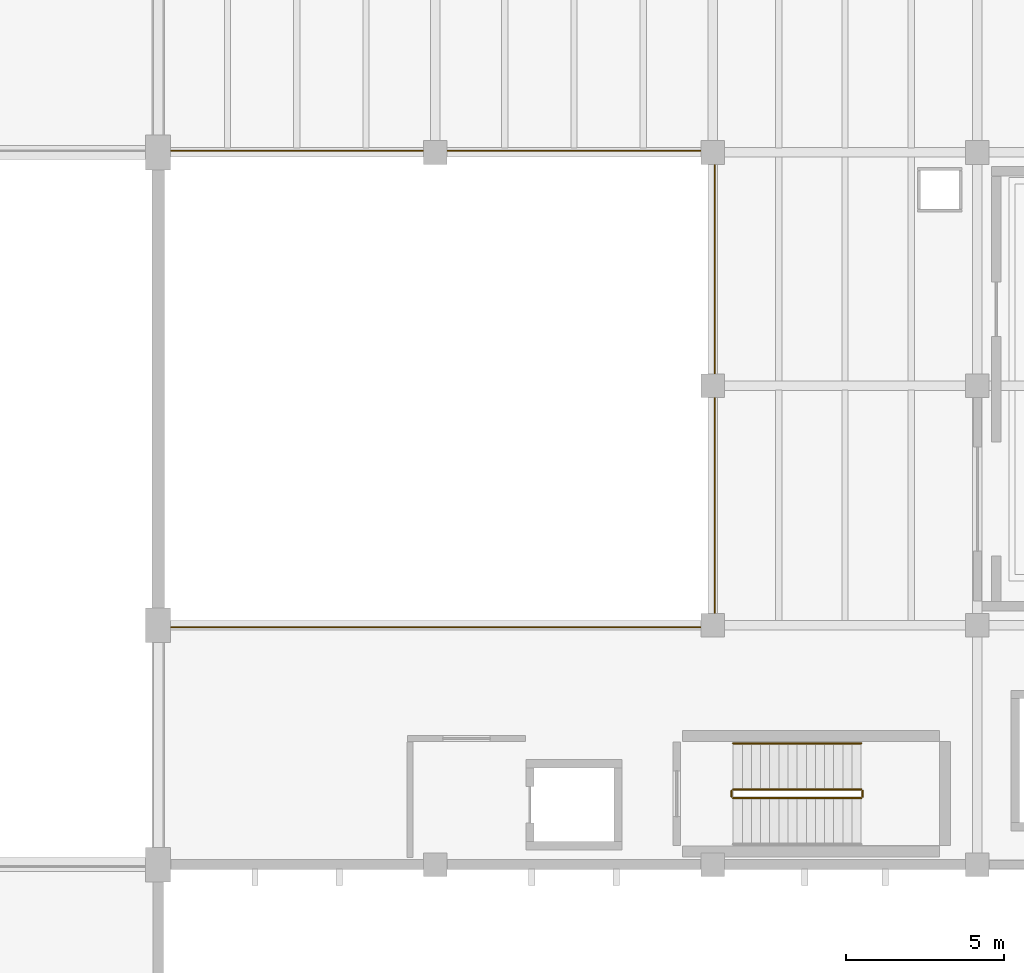
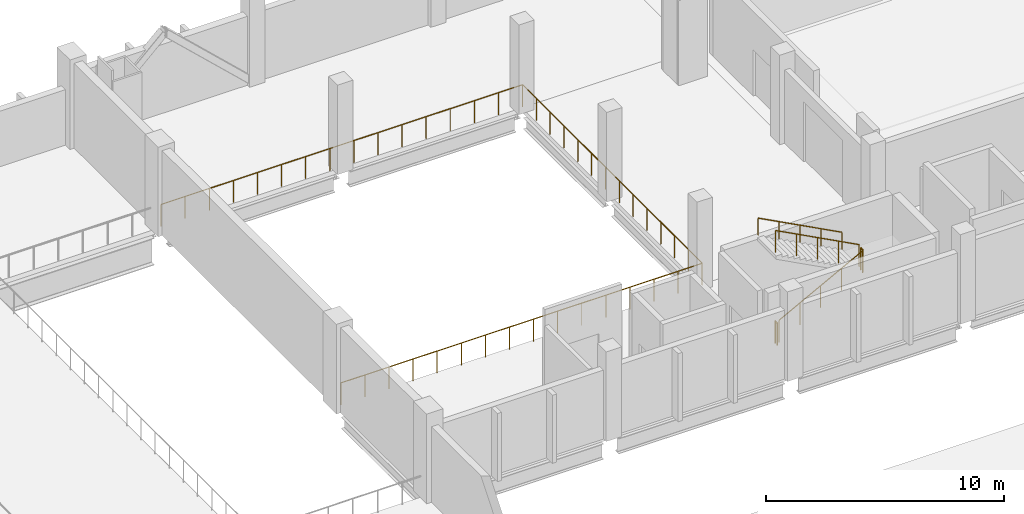
# One storey, part 70 of 74: 6 railings.
"""IFC4 building model written with IfcOpenShell, lengths in metres."""

from ifc_helpers import new_model, si_unit, direction, frame, origin, origin_2d, place, context, subcontext, project, spatial, circle, extrude, material, type_object, element, save


model = new_model("IFC4")

# Units and contexts
model_context = context("Model", 3, precision=1e-05, world=origin(), true_north=direction((0.0, 1.0)))
body_context = subcontext(model_context, "Body", "Model", "MODEL_VIEW")
ifc_project = project(units=[si_unit("LENGTHUNIT", "METRE"), si_unit("AREAUNIT", "SQUARE_METRE"), si_unit("VOLUMEUNIT", "CUBIC_METRE"), si_unit("PLANEANGLEUNIT", "RADIAN"), si_unit("MASSUNIT", "GRAM", prefix="KILO")], contexts=[model_context])

# Site, building, storey
site_placement = place(None, origin())
site = spatial("IfcSite", under=ifc_project, at=site_placement, CompositionType="ELEMENT")
building_placement = place(site_placement, origin())
building = spatial("IfcBuilding", under=site, at=building_placement, Name="Shengluoqiao Park Theatre", CompositionType="ELEMENT")
storey_placement = place(building_placement, frame((0.0, 0.0, 14.60009765625)))
storey = spatial("IfcBuildingStorey", under=building, at=storey_placement, Name="L03", CompositionType="ELEMENT", Elevation=14.60009765625)

# Railings
ifc_material_1 = material(Name="Steel Q355", Category="steel")
railing_type_1 = type_object("IfcRailingType", Name="INT-RL-FLY115", PredefinedType="GUARDRAIL", material=ifc_material_1)
railing_1_placement = place(storey_placement, frame((86.5, 91.5400390625, 0.0)))
element("IfcRailing", 1, at=railing_1_placement, inside=storey, type_object=railing_type_1, Name="L03 Stage Fly Gallery Inner Safety Rail 0029", PredefinedType="GUARDRAIL", context=body_context, shape_type="SweptSolid", body=[
    extrude(circle(Radius=0.02392578125, at=origin_2d()), frame((0.0, 0.0, 1.1259765625), z_axis=(1.0, 0.0, 0.0), x_axis=(0.0, 1.0, 0.0)), (0.0, 0.0, 1.0), 17.56005859375),
    extrude(circle(Radius=0.02392578125, at=origin_2d()), frame((17.56005859375, 0.0, 1.1259765625), z_axis=(0.0, 1.0, 0.0), x_axis=(-1.0, 0.0, 0.0)), (0.0, 0.0, 1.0), 15.119873046875),
    extrude(circle(Radius=0.02392578125, at=origin_2d()), frame((17.56005859375, 15.119873046875, 1.1259765625), z_axis=(-1.0, 0.0, 0.0), x_axis=(0.0, -1.0, 0.0)), (0.0, 0.0, 1.0), 17.56005859375),
    extrude(circle(Radius=0.02099609375, at=origin_2d()), origin(), (0.0, 0.0, 1.0), 1.101806640625),
    extrude(circle(Radius=0.02099609375, at=origin_2d()), frame((1.170654296875, 0.0, 0.0)), (0.0, 0.0, 1.0), 1.101806640625),
    extrude(circle(Radius=0.02099609375, at=origin_2d()), frame((2.34130859375, 0.0, 0.0)), (0.0, 0.0, 1.0), 1.101806640625),
    extrude(circle(Radius=0.02099609375, at=origin_2d()), frame((3.511962890625, 0.0, 0.0)), (0.0, 0.0, 1.0), 1.101806640625),
    extrude(circle(Radius=0.02099609375, at=origin_2d()), frame((4.6826171875, 0.0, 0.0)), (0.0, 0.0, 1.0), 1.101806640625),
    extrude(circle(Radius=0.02099609375, at=origin_2d()), frame((5.853271484375, 0.0, 0.0)), (0.0, 0.0, 1.0), 1.101806640625),
    extrude(circle(Radius=0.02099609375, at=origin_2d()), frame((7.02392578125, 0.0, 0.0)), (0.0, 0.0, 1.0), 1.101806640625),
    extrude(circle(Radius=0.02099609375, at=origin_2d()), frame((8.194580078125, 0.0, 0.0)), (0.0, 0.0, 1.0), 1.101806640625),
    extrude(circle(Radius=0.02099609375, at=origin_2d()), frame((9.365478515625, 0.0, 0.0)), (0.0, 0.0, 1.0), 1.101806640625),
    extrude(circle(Radius=0.02099609375, at=origin_2d()), frame((10.5361328125, 0.0, 0.0)), (0.0, 0.0, 1.0), 1.101806640625),
    extrude(circle(Radius=0.02099609375, at=origin_2d()), frame((11.706787109375, 0.0, 0.0)), (0.0, 0.0, 1.0), 1.101806640625),
    extrude(circle(Radius=0.02099609375, at=origin_2d()), frame((12.87744140625, 0.0, 0.0)), (0.0, 0.0, 1.0), 1.101806640625),
    extrude(circle(Radius=0.02099609375, at=origin_2d()), frame((14.048095703125, 0.0, 0.0)), (0.0, 0.0, 1.0), 1.101806640625),
    extrude(circle(Radius=0.02099609375, at=origin_2d()), frame((15.21875, 0.0, 0.0)), (0.0, 0.0, 1.0), 1.101806640625),
    extrude(circle(Radius=0.02099609375, at=origin_2d()), frame((16.389404296875, 0.0, 0.0)), (0.0, 0.0, 1.0), 1.101806640625),
    extrude(circle(Radius=0.02099609375, at=origin_2d()), frame((17.56005859375, 0.0, 0.0)), (0.0, 0.0, 1.0), 1.101806640625),
    extrude(circle(Radius=0.02099609375, at=origin_2d()), frame((17.56005859375, 1.1630859375, 0.0)), (0.0, 0.0, 1.0), 1.101806640625),
    extrude(circle(Radius=0.02099609375, at=origin_2d()), frame((17.56005859375, 2.326171875, 0.0)), (0.0, 0.0, 1.0), 1.101806640625),
    extrude(circle(Radius=0.02099609375, at=origin_2d()), frame((17.56005859375, 3.4892578125, 0.0)), (0.0, 0.0, 1.0), 1.101806640625),
    extrude(circle(Radius=0.02099609375, at=origin_2d()), frame((17.56005859375, 4.65234375, 0.0)), (0.0, 0.0, 1.0), 1.101806640625),
    extrude(circle(Radius=0.02099609375, at=origin_2d()), frame((17.56005859375, 5.8154296875, 0.0)), (0.0, 0.0, 1.0), 1.101806640625),
    extrude(circle(Radius=0.02099609375, at=origin_2d()), frame((17.56005859375, 6.978515625, 0.0)), (0.0, 0.0, 1.0), 1.101806640625),
    extrude(circle(Radius=0.02099609375, at=origin_2d()), frame((17.56005859375, 8.141357421875, 0.0)), (0.0, 0.0, 1.0), 1.101806640625),
    extrude(circle(Radius=0.02099609375, at=origin_2d()), frame((17.56005859375, 9.304443359375, 0.0)), (0.0, 0.0, 1.0), 1.101806640625),
    extrude(circle(Radius=0.02099609375, at=origin_2d()), frame((17.56005859375, 10.467529296875, 0.0)), (0.0, 0.0, 1.0), 1.101806640625),
    extrude(circle(Radius=0.02099609375, at=origin_2d()), frame((17.56005859375, 11.630615234375, 0.0)), (0.0, 0.0, 1.0), 1.101806640625),
    extrude(circle(Radius=0.02099609375, at=origin_2d()), frame((17.56005859375, 12.793701171875, 0.0)), (0.0, 0.0, 1.0), 1.101806640625),
    extrude(circle(Radius=0.02099609375, at=origin_2d()), frame((17.56005859375, 13.956787109375, 0.0)), (0.0, 0.0, 1.0), 1.101806640625),
    extrude(circle(Radius=0.02099609375, at=origin_2d()), frame((17.56005859375, 15.119873046875, 0.0)), (0.0, 0.0, 1.0), 1.101806640625),
    extrude(circle(Radius=0.02099609375, at=origin_2d()), frame((16.389404296875, 15.119873046875, 0.0)), (0.0, 0.0, 1.0), 1.101806640625),
    extrude(circle(Radius=0.02099609375, at=origin_2d()), frame((15.21875, 15.119873046875, 0.0)), (0.0, 0.0, 1.0), 1.101806640625),
    extrude(circle(Radius=0.02099609375, at=origin_2d()), frame((14.048095703125, 15.119873046875, 0.0)), (0.0, 0.0, 1.0), 1.101806640625),
    extrude(circle(Radius=0.02099609375, at=origin_2d()), frame((12.87744140625, 15.119873046875, 0.0)), (0.0, 0.0, 1.0), 1.101806640625),
    extrude(circle(Radius=0.02099609375, at=origin_2d()), frame((11.706787109375, 15.119873046875, 0.0)), (0.0, 0.0, 1.0), 1.101806640625),
    extrude(circle(Radius=0.02099609375, at=origin_2d()), frame((10.5361328125, 15.119873046875, 0.0)), (0.0, 0.0, 1.0), 1.101806640625),
    extrude(circle(Radius=0.02099609375, at=origin_2d()), frame((9.365478515625, 15.119873046875, 0.0)), (0.0, 0.0, 1.0), 1.101806640625),
    extrude(circle(Radius=0.02099609375, at=origin_2d()), frame((8.194580078125, 15.119873046875, 0.0)), (0.0, 0.0, 1.0), 1.101806640625),
    extrude(circle(Radius=0.02099609375, at=origin_2d()), frame((7.02392578125, 15.119873046875, 0.0)), (0.0, 0.0, 1.0), 1.101806640625),
    extrude(circle(Radius=0.02099609375, at=origin_2d()), frame((5.853271484375, 15.119873046875, 0.0)), (0.0, 0.0, 1.0), 1.101806640625),
    extrude(circle(Radius=0.02099609375, at=origin_2d()), frame((4.6826171875, 15.119873046875, 0.0)), (0.0, 0.0, 1.0), 1.101806640625),
    extrude(circle(Radius=0.02099609375, at=origin_2d()), frame((3.511962890625, 15.119873046875, 0.0)), (0.0, 0.0, 1.0), 1.101806640625),
    extrude(circle(Radius=0.02099609375, at=origin_2d()), frame((2.34130859375, 15.119873046875, 0.0)), (0.0, 0.0, 1.0), 1.101806640625),
    extrude(circle(Radius=0.02099609375, at=origin_2d()), frame((1.170654296875, 15.119873046875, 0.0)), (0.0, 0.0, 1.0), 1.101806640625),
    extrude(circle(Radius=0.02099609375, at=origin_2d()), frame((0.0, 15.119873046875, 0.0)), (0.0, 0.0, 1.0), 1.101806640625),
])
ifc_material_2 = material(Name="Painted steel", Category="steel")
railing_type_2 = type_object("IfcRailingType", Name="INT-RL-STGRD", PredefinedType="GUARDRAIL", material=ifc_material_2)
railing_2_placement = place(storey_placement, frame((104.64990234375, 86.110107421875, 0.1533203125)))
element("IfcRailing", 2, at=railing_2_placement, inside=storey, type_object=railing_type_2, Name="L03 ST-05 stair guard 1", PredefinedType="GUARDRAIL", context=body_context, shape_type="SweptSolid", body=[
    extrude(circle(Radius=0.02392578125, at=origin_2d()), frame((0.0, 0.0, 1.1259765625), z_axis=(0.884054148832, 0.0, 0.467384490471), x_axis=(0.0, 1.0, 0.0)), (0.0, 0.0, 1.0), 4.592529296875),
    extrude(circle(Radius=0.02099609375, at=origin_2d()), origin(), (0.0, 0.0, 1.0), 1.101806640625),
    extrude(circle(Radius=0.02099609375, at=origin_2d()), frame((1.01513671875, 0.0, 0.53662109375)), (0.0, 0.0, 1.0), 1.101806640625),
    extrude(circle(Radius=0.02099609375, at=origin_2d()), frame((2.030029296875, 0.0, 1.0732421875)), (0.0, 0.0, 1.0), 1.101806640625),
    extrude(circle(Radius=0.02099609375, at=origin_2d()), frame((3.044921875, 0.0, 1.60986328125)), (0.0, 0.0, 1.0), 1.101806640625),
    extrude(circle(Radius=0.02099609375, at=origin_2d()), frame((4.06005859375, 0.0, 2.146484375)), (0.0, 0.0, 1.0), 1.101806640625),
])
railing_3_placement = place(storey_placement, frame((108.760009765625, 86.159912109375, 2.2998046875)))
element("IfcRailing", 3, at=railing_3_placement, inside=storey, type_object=railing_type_2, Name="L03 ST-05 stair guard 2", PredefinedType="GUARDRAIL", context=body_context, shape_type="SweptSolid", body=[
    extrude(circle(Radius=0.02392578125, at=origin_2d()), frame((0.0, 0.0, 1.1259765625), z_axis=(0.0, 1.0, 0.0), x_axis=(-1.0, 0.0, 0.0)), (0.0, 0.0, 1.0), 0.18017578125),
    extrude(circle(Radius=0.02099609375, at=origin_2d()), origin(), (0.0, 0.0, 1.0), 1.101806640625),
    extrude(circle(Radius=0.02099609375, at=origin_2d()), frame((0.0, 0.18017578125, 0.0)), (0.0, 0.0, 1.0), 1.101806640625),
])
railing_4_placement = place(storey_placement, frame((108.7099609375, 86.389892578125, 2.453125)))
element("IfcRailing", 4, at=railing_4_placement, inside=storey, type_object=railing_type_2, Name="L03 ST-05 stair guard 3", PredefinedType="GUARDRAIL", context=body_context, shape_type="SweptSolid", body=[
    extrude(circle(Radius=0.02392578125, at=origin_2d()), frame((0.0, 0.0, 1.1259765625), z_axis=(-0.884032182968, 0.0, 0.46742603637), x_axis=(0.0, -1.0, 0.0)), (0.0, 0.0, 1.0), 4.5927734375),
    extrude(circle(Radius=0.02099609375, at=origin_2d()), origin(), (0.0, 0.0, 1.0), 1.101806640625),
    extrude(circle(Radius=0.02099609375, at=origin_2d()), frame((-1.01513671875, 0.0, 0.53662109375)), (0.0, 0.0, 1.0), 1.101806640625),
    extrude(circle(Radius=0.02099609375, at=origin_2d()), frame((-2.030029296875, 0.0, 1.0732421875)), (0.0, 0.0, 1.0), 1.101806640625),
    extrude(circle(Radius=0.02099609375, at=origin_2d()), frame((-3.044921875, 0.0, 1.610107421875)), (0.0, 0.0, 1.0), 1.101806640625),
    extrude(circle(Radius=0.02099609375, at=origin_2d()), frame((-4.06005859375, 0.0, 2.146728515625)), (0.0, 0.0, 1.0), 1.101806640625),
])
railing_5_placement = place(storey_placement, frame((104.60009765625, 86.159912109375, 0.0)))
element("IfcRailing", 5, at=railing_5_placement, inside=storey, type_object=railing_type_2, Name="L03 ST-05 stair guard 4", PredefinedType="GUARDRAIL", context=body_context, shape_type="SweptSolid", body=[
    extrude(circle(Radius=0.02392578125, at=origin_2d()), frame((0.0, 0.0, 1.1259765625), z_axis=(0.0, 1.0, 0.0), x_axis=(-1.0, 0.0, 0.0)), (0.0, 0.0, 1.0), 0.18017578125),
    extrude(circle(Radius=0.02099609375, at=origin_2d()), origin(), (0.0, 0.0, 1.0), 1.101806640625),
    extrude(circle(Radius=0.02099609375, at=origin_2d()), frame((0.0, 0.18017578125, 0.0)), (0.0, 0.0, 1.0), 1.101806640625),
])
ifc_material_3 = material(Name="Stainless steel 304", Category="steel")
railing_type_3 = type_object("IfcRailingType", Name="INT-RL-STHR", PredefinedType="HANDRAIL", material=ifc_material_3)
railing_6_placement = place(storey_placement, frame((108.7099609375, 87.85009765625, 2.453125)))
element("IfcRailing", 6, at=railing_6_placement, inside=storey, type_object=railing_type_3, Name="L03 ST-05 stair handrail 2", PredefinedType="HANDRAIL", context=body_context, shape_type="SweptSolid", body=[
    extrude(circle(Radius=0.02392578125, at=origin_2d()), frame((0.0, 0.0, 0.8759765625), z_axis=(-0.884032182968, 0.0, 0.46742603637), x_axis=(0.0, -1.0, 0.0)), (0.0, 0.0, 1.0), 4.5927734375),
    extrude(circle(Radius=0.02099609375, at=origin_2d()), origin(), (0.0, 0.0, 1.0), 0.851806640625),
    extrude(circle(Radius=0.02099609375, at=origin_2d()), frame((-1.01513671875, 0.0, 0.53662109375)), (0.0, 0.0, 1.0), 0.851806640625),
    extrude(circle(Radius=0.02099609375, at=origin_2d()), frame((-2.030029296875, 0.0, 1.0732421875)), (0.0, 0.0, 1.0), 0.851806640625),
    extrude(circle(Radius=0.02099609375, at=origin_2d()), frame((-3.044921875, 0.0, 1.610107421875)), (0.0, 0.0, 1.0), 0.851806640625),
    extrude(circle(Radius=0.02099609375, at=origin_2d()), frame((-4.06005859375, 0.0, 2.146728515625)), (0.0, 0.0, 1.0), 0.851806640625),
])

save(model, "model.ifc")
